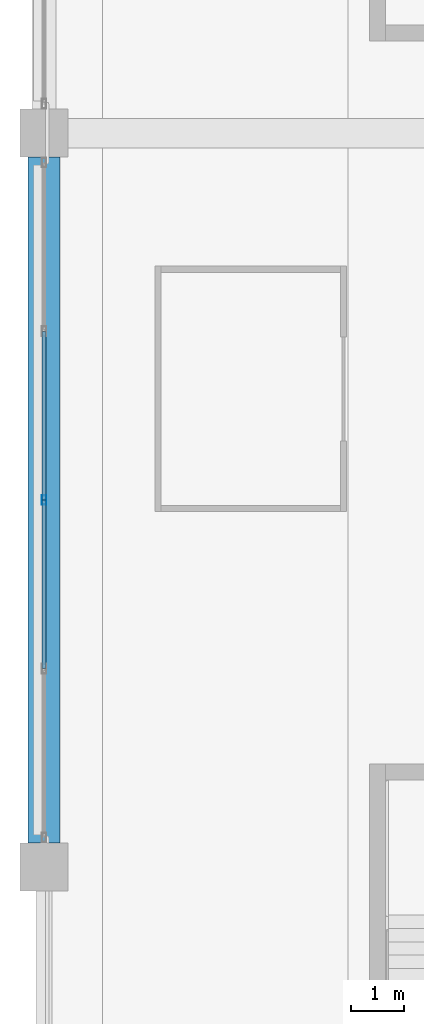
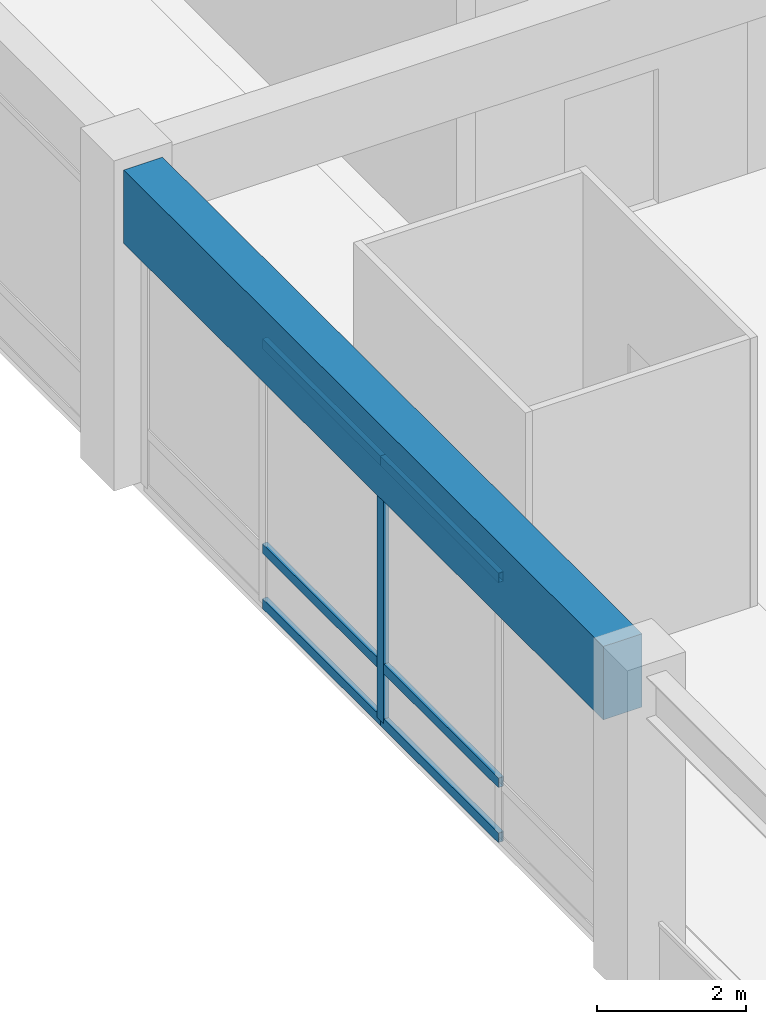
# One storey, part 31 of 117: 7 members, 1 beam, 1 element without a shape of its own.
"""IFC4 building model written with IfcOpenShell, lengths in metres."""

import ifcopenshell
import ifcopenshell.guid

model = None  # the IFC model being written
_history = None  # IfcOwnerHistory: only IFC2X3 demands one
_inside = {}  # id of a spatial element -> (the spatial element, [elements in it])
_under = {}  # id of a project, library or spatial element -> (it, [spatial elements below it])
_declared = {}  # id of a project -> (the project, [libraries it declares])
_typed = {}  # id of a type object -> (the type object, [elements of that type])
_made_of = {}  # id of a material, layer set ... -> (it, [elements and type objects made of it])


def new_model(schema):
    """Start an empty IFC model of exactly this schema.

    Asked for "IFC4X3", IfcOpenShell would pick the latest addendum, in which some entities
    have other attributes; the version numbers below select the first issue.
    IFC2X3 requires an IfcOwnerHistory on every rooted entity: one is made here for all.
    """
    global model, _history
    if schema == "IFC4X3":
        model = ifcopenshell.file(schema_version=(4, 3, 0, 0))
    else:
        model = ifcopenshell.file(schema=schema)
    _inside.clear()
    _under.clear()
    _declared.clear()
    _typed.clear()
    _made_of.clear()
    _history = None
    if model.schema == "IFC2X3":
        org = make("IfcOrganization", Name="unknown")
        user = make(
            "IfcPersonAndOrganization",
            ThePerson=make("IfcPerson", FamilyName="unknown"),
            TheOrganization=org,
        )
        app = make(
            "IfcApplication",
            ApplicationDeveloper=org,
            Version="unknown",
            ApplicationFullName="unknown",
            ApplicationIdentifier="unknown",
        )
        _history = make(
            "IfcOwnerHistory",
            OwningUser=user,
            OwningApplication=app,
            ChangeAction="ADDED",
            CreationDate=0,
        )
    return model


def make(cls, **values):
    """One entity of the class cls with the attributes given. An attribute that is None is left unset."""
    return model.create_entity(
        cls, **{name: value for name, value in values.items() if value is not None}
    )


def rooted(cls, **values):
    """An entity with a GlobalId (a new one), such as an element, a storey or a relation."""
    return make(cls, GlobalId=ifcopenshell.guid.new(), OwnerHistory=_history, **values)


def si_unit(unit_type, name, prefix=None):
    """IfcSIUnit, for example si_unit("LENGTHUNIT", "METRE", prefix="MILLI")."""
    return make("IfcSIUnit", UnitType=unit_type, Prefix=prefix, Name=name)


def assignment(units):
    """IfcUnitAssignment: the units of a project."""
    return None if units is None else make("IfcUnitAssignment", Units=units)


def point(xyz):
    """IfcCartesianPoint."""
    return None if xyz is None else make("IfcCartesianPoint", Coordinates=xyz)


def direction(xyz):
    """IfcDirection."""
    return None if xyz is None else make("IfcDirection", DirectionRatios=xyz)


def frame(location, z_axis=None, x_axis=None):
    """IfcAxis2Placement3D, a coordinate frame: its origin and axes. An axis left out is left unset."""
    return make(
        "IfcAxis2Placement3D",
        Location=point(location),
        Axis=direction(z_axis),
        RefDirection=direction(x_axis),
    )


def frame_2d(location, x_axis=None):
    """IfcAxis2Placement2D, a coordinate frame in the plane: its origin and x axis."""
    return make(
        "IfcAxis2Placement2D", Location=point(location), RefDirection=direction(x_axis)
    )


def origin():
    """The frame at (0, 0, 0) with its axes left unset."""
    return frame((0.0, 0.0, 0.0))


def origin_2d():
    """The frame at (0, 0) in the plane with its x axis left unset."""
    return frame_2d((0.0, 0.0))


def place(relative_to, where):
    """IfcLocalPlacement: puts the frame where relative to a parent placement (None: the world)."""
    return make(
        "IfcLocalPlacement", PlacementRelTo=relative_to, RelativePlacement=where
    )


def context(
    kind, dimensions, precision=None, world=None, true_north=None, identifier=None
):
    """IfcGeometricRepresentationContext, for example the 3D "Model" context."""
    return make(
        "IfcGeometricRepresentationContext",
        ContextIdentifier=identifier,
        ContextType=kind,
        CoordinateSpaceDimension=dimensions,
        Precision=precision,
        WorldCoordinateSystem=world,
        TrueNorth=true_north,
    )


def subcontext(parent, identifier, kind, view, scale=None):
    """IfcGeometricRepresentationSubContext, for example "Body" below "Model"."""
    return make(
        "IfcGeometricRepresentationSubContext",
        ContextIdentifier=identifier,
        ContextType=kind,
        ParentContext=parent,
        TargetScale=scale,
        TargetView=view,
    )


def project(units=None, contexts=None):
    """IfcProject with its units and contexts."""
    return rooted(
        "IfcProject",
        Name="project",
        RepresentationContexts=contexts,
        UnitsInContext=assignment(units),
    )


def spatial(cls, under=None, at=None, **own):
    """A site, building, storey or space (cls), placed at a placement, below another one or the project."""
    s = rooted(cls, ObjectPlacement=at, **own)
    if under is not None:
        _under.setdefault(under.id(), (under, []))[1].append(s)
    return s


def profile(cls, at=None, kind="AREA", **sizes):
    """A parametric profile (cls). Its sizes go by their IFC names, for example OverallWidth=200.0."""
    return make(cls, ProfileType=kind, Position=at, **sizes)


def rectangle(**sizes):
    """IfcRectangleProfileDef."""
    return profile("IfcRectangleProfileDef", **sizes)


def hollow_rectangle(**sizes):
    """IfcRectangleHollowProfileDef."""
    return profile("IfcRectangleHollowProfileDef", **sizes)


def extrude(swept, where, along, depth):
    """IfcExtrudedAreaSolid: the profile swept, set in the frame where, extruded along a direction by depth."""
    return make(
        "IfcExtrudedAreaSolid",
        SweptArea=swept,
        Position=where,
        ExtrudedDirection=direction(along),
        Depth=depth,
    )


def shape(context_of_items, identifier, shape_type, items):
    """IfcShapeRepresentation: the items that make up one representation, for example the "Body"."""
    return make(
        "IfcShapeRepresentation",
        ContextOfItems=context_of_items,
        RepresentationIdentifier=identifier,
        RepresentationType=shape_type,
        Items=items,
    )


def material(Name=None, Category=None):
    """IfcMaterial."""
    return make("IfcMaterial", Name=Name, Category=Category)


def material_profile(
    of_material, cross_section, Name=None, Category=None, Priority=None
):
    """IfcMaterialProfile: a cross section and its material."""
    return make(
        "IfcMaterialProfile",
        Name=Name,
        Material=of_material,
        Profile=cross_section,
        Priority=Priority,
        Category=Category,
    )


def profile_set(profiles, Name=None, composite=None):
    """IfcMaterialProfileSet."""
    return make(
        "IfcMaterialProfileSet",
        Name=Name,
        MaterialProfiles=profiles,
        CompositeProfile=composite,
    )


def made_of(thing, what):
    """Note that an element or type object is made of a material, layer set ...; save() writes the relation."""
    if what is not None:
        _made_of.setdefault(what.id(), (what, []))[1].append(thing)
    return thing


def type_object(cls, material=None, **own):
    """A type object (cls), such as IfcWallType, which elements share."""
    return made_of(rooted(cls, **own), material)


def element(
    cls,
    number,
    at=None,
    inside=None,
    cuts=None,
    type_object=None,
    material=None,
    context=None,
    identifier="Body",
    shape_type=None,
    held_by="IfcProductDefinitionShape",
    body=None,
    shapes=None,
    **own,
):
    """One element of the class cls, such as IfcWall. Its Tag is "e" and its number.

    at: its placement. inside: the storey or other place that contains it. cuts: it is an
    opening in that element (IfcRelVoidsElement). A single representation is given by context,
    identifier, shape_type and body (its items); several are given by shapes. held_by: the class
    of the entity that holds the representations. save() writes the other relations.
    """
    e = rooted(cls, Tag="e%d" % number, ObjectPlacement=at, **own)
    if body is not None:
        shapes = [shape(context, identifier, shape_type, body)]
    if shapes is not None:
        e.Representation = make(held_by, Representations=shapes)
    if inside is not None:
        _inside.setdefault(inside.id(), (inside, []))[1].append(e)
    if cuts is not None:
        rooted(
            "IfcRelVoidsElement", RelatingBuildingElement=cuts, RelatedOpeningElement=e
        )
    if type_object is not None:
        _typed.setdefault(type_object.id(), (type_object, []))[1].append(e)
    return made_of(e, material)


def aggregate(whole, parts):
    """IfcRelAggregates: a whole, such as a stair, and the parts it consists of."""
    return rooted("IfcRelAggregates", RelatingObject=whole, RelatedObjects=parts)


def save(model, path):
    """Write the relations noted so far, then the file.

    IfcRelAggregates (storeys below a building ...), IfcRelContainedInSpatialStructure (elements
    in a storey), IfcRelDefinesByType, IfcRelAssociatesMaterial and IfcRelDeclares: one each for
    every whole, place, type object, material and project.
    """
    for whole, parts in _under.values():
        aggregate(whole, parts)
    for where, things in _inside.values():
        rooted(
            "IfcRelContainedInSpatialStructure",
            RelatedElements=things,
            RelatingStructure=where,
        )
    for kind, things in _typed.values():
        rooted("IfcRelDefinesByType", RelatedObjects=things, RelatingType=kind)
    for what, things in _made_of.values():
        rooted("IfcRelAssociatesMaterial", RelatedObjects=things, RelatingMaterial=what)
    for by, libraries in _declared.values():
        rooted("IfcRelDeclares", RelatingContext=by, RelatedDefinitions=libraries)
    model.write(path)


model = new_model("IFC4")

# Units and contexts
model_context = context("Model", 3, precision=1e-05, world=origin(), true_north=direction((0.0, 1.0)))
body_context = subcontext(model_context, "Body", "Model", "MODEL_VIEW")
ifc_project = project(units=[si_unit("LENGTHUNIT", "METRE"), si_unit("AREAUNIT", "SQUARE_METRE"), si_unit("VOLUMEUNIT", "CUBIC_METRE"), si_unit("PLANEANGLEUNIT", "RADIAN"), si_unit("MASSUNIT", "GRAM", prefix="KILO")], contexts=[model_context])

# Site, building, storey
site_placement = place(None, origin())
site = spatial("IfcSite", under=ifc_project, at=site_placement, CompositionType="ELEMENT")
building_placement = place(site_placement, origin())
building = spatial("IfcBuilding", under=site, at=building_placement, Name="Linyun Crest Stadium", CompositionType="ELEMENT")
storey_placement = place(building_placement, frame((0.0, 0.0, 6.0)))
storey = spatial("IfcBuildingStorey", under=building, at=storey_placement, Name="L02", CompositionType="ELEMENT", Elevation=6.0)

# Curtain wall, member
ifc_material_1 = material(Name="Verdigris steel and low-E curtain wall assembly", Category="steel")
curtain_wall_type = type_object("IfcCurtainWallType", Name="MCW01", PredefinedType="NOTDEFINED", material=ifc_material_1)
curtain_wall_placement = place(storey_placement, origin())
curtain_wall = element("IfcCurtainWall", 1, at=curtain_wall_placement, inside=storey, type_object=curtain_wall_type, Name="CWR-073", PredefinedType="NOTDEFINED")
ifc_material_2 = material(Name="Verdigris painted steel Q355B mullion", Category="steel")
ifc_material_profile_1 = material_profile(ifc_material_2, hollow_rectangle(XDim=0.080078125, YDim=0.179931640625, WallThickness=0.006103515625, at=origin_2d()), Name="RHS 180x80x6")
ifc_profile_set_1 = profile_set([ifc_material_profile_1], Name="Verdigris painted steel Q355B mullion")
member_type_1 = type_object("IfcMemberType", Name="ML02", PredefinedType="MULLION", material=ifc_profile_set_1)
member_1_placement = place(storey_placement, frame((-98.0, -32.25, 0.0), z_axis=(0.0, 0.0, 1.0), x_axis=(-1.0, 0.0, 0.0)))
member_1 = element("IfcMember", 2, at=member_1_placement, type_object=member_type_1, Name="CWR-073 mullion 3", PredefinedType="MULLION", context=body_context, shape_type="SweptSolid", body=[
    extrude(hollow_rectangle(XDim=0.080078125, YDim=0.179931640625, WallThickness=0.006103515625, at=origin_2d()), origin(), (0.0, 0.0, 1.0), 4.25),
])

# Beam
ifc_material_3 = material(Name="Concrete C50", Category="concrete")
ifc_material_profile_2 = material_profile(ifc_material_3, rectangle(XDim=0.60009765625, YDim=1.199951171875, at=origin_2d()), Name="RCB 1200x600")
ifc_profile_set_2 = profile_set([ifc_material_profile_2], Name="Concrete C50")
beam_type = type_object("IfcBeamType", Name="TB02", PredefinedType="USERDEFINED", material=ifc_profile_set_2)
beam_placement = place(storey_placement, frame((-98.0, -38.675048828125, 4.60009765625), z_axis=(0.0, 1.0, 0.0), x_axis=(-1.0, 0.0, 0.0)))
element("IfcBeam", 3, at=beam_placement, inside=storey, type_object=beam_type, Name="Frame beam TB02 L02 199", ObjectType="GIRDER", PredefinedType="USERDEFINED", context=body_context, shape_type="SweptSolid", body=[
    extrude(rectangle(XDim=0.60009765625, YDim=1.199951171875, at=origin_2d()), origin(), (0.0, 0.0, 1.0), 12.85009765625),
])

# Member
ifc_material_4 = material(Name="Aluminium thermally broken transom", Category="aluminium")
ifc_material_profile_3 = material_profile(ifc_material_4, hollow_rectangle(XDim=0.080078125, YDim=0.159912109375, WallThickness=0.006103515625, at=origin_2d()), Name="RHS 160x80x6")
ifc_profile_set_3 = profile_set([ifc_material_profile_3], Name="Aluminium thermally broken transom")
member_type_2 = type_object("IfcMemberType", Name="TR01", PredefinedType="USERDEFINED", material=ifc_profile_set_3)
member_2_placement = place(storey_placement, frame((-98.0, -35.412109375, 0.0), z_axis=(0.0, 1.0, 0.0), x_axis=(-1.0, 0.0, 0.0)))
member_2 = element("IfcMember", 4, at=member_2_placement, type_object=member_type_2, Name="CWR-073 transom 2.1", ObjectType="TRANSOM", PredefinedType="USERDEFINED", context=body_context, shape_type="SweptSolid", body=[
    extrude(hollow_rectangle(XDim=0.080078125, YDim=0.159912109375, WallThickness=0.006103515625, at=origin_2d()), origin(), (0.0, 0.0, 1.0), 3.162109375),
])

member_3_placement = place(storey_placement, frame((-98.0, -35.412109375, 0.89990234375), z_axis=(0.0, 1.0, 0.0), x_axis=(-1.0, 0.0, 0.0)))
member_3 = element("IfcMember", 5, at=member_3_placement, type_object=member_type_2, Name="CWR-073 transom 2.2", ObjectType="TRANSOM", PredefinedType="USERDEFINED", context=body_context, shape_type="SweptSolid", body=[
    extrude(hollow_rectangle(XDim=0.080078125, YDim=0.159912109375, WallThickness=0.006103515625, at=origin_2d()), origin(), (0.0, 0.0, 1.0), 3.162109375),
])

member_4_placement = place(storey_placement, frame((-98.0, -35.412109375, 4.25), z_axis=(0.0, 1.0, 0.0), x_axis=(-1.0, 0.0, 0.0)))
member_4 = element("IfcMember", 6, at=member_4_placement, type_object=member_type_2, Name="CWR-073 transom 2.3", ObjectType="TRANSOM", PredefinedType="USERDEFINED", context=body_context, shape_type="SweptSolid", body=[
    extrude(hollow_rectangle(XDim=0.080078125, YDim=0.159912109375, WallThickness=0.006103515625, at=origin_2d()), origin(), (0.0, 0.0, 1.0), 3.162109375),
])

member_5_placement = place(storey_placement, frame((-98.0, -32.25, 0.0), z_axis=(0.0, 1.0, 0.0), x_axis=(-1.0, 0.0, 0.0)))
member_5 = element("IfcMember", 7, at=member_5_placement, type_object=member_type_2, Name="CWR-073 transom 3.1", ObjectType="TRANSOM", PredefinedType="USERDEFINED", context=body_context, shape_type="SweptSolid", body=[
    extrude(hollow_rectangle(XDim=0.080078125, YDim=0.159912109375, WallThickness=0.006103515625, at=origin_2d()), origin(), (0.0, 0.0, 1.0), 3.162109375),
])

member_6_placement = place(storey_placement, frame((-98.0, -32.25, 0.89990234375), z_axis=(0.0, 1.0, 0.0), x_axis=(-1.0, 0.0, 0.0)))
member_6 = element("IfcMember", 8, at=member_6_placement, type_object=member_type_2, Name="CWR-073 transom 3.2", ObjectType="TRANSOM", PredefinedType="USERDEFINED", context=body_context, shape_type="SweptSolid", body=[
    extrude(hollow_rectangle(XDim=0.080078125, YDim=0.159912109375, WallThickness=0.006103515625, at=origin_2d()), origin(), (0.0, 0.0, 1.0), 3.162109375),
])

member_7_placement = place(storey_placement, frame((-98.0, -32.25, 4.25), z_axis=(0.0, 1.0, 0.0), x_axis=(-1.0, 0.0, 0.0)))
member_7 = element("IfcMember", 9, at=member_7_placement, type_object=member_type_2, Name="CWR-073 transom 3.3", ObjectType="TRANSOM", PredefinedType="USERDEFINED", context=body_context, shape_type="SweptSolid", body=[
    extrude(hollow_rectangle(XDim=0.080078125, YDim=0.159912109375, WallThickness=0.006103515625, at=origin_2d()), origin(), (0.0, 0.0, 1.0), 3.162109375),
])

aggregate(curtain_wall, [member_1, member_2, member_3, member_4, member_5, member_6, member_7])

save(model, "model.ifc")
